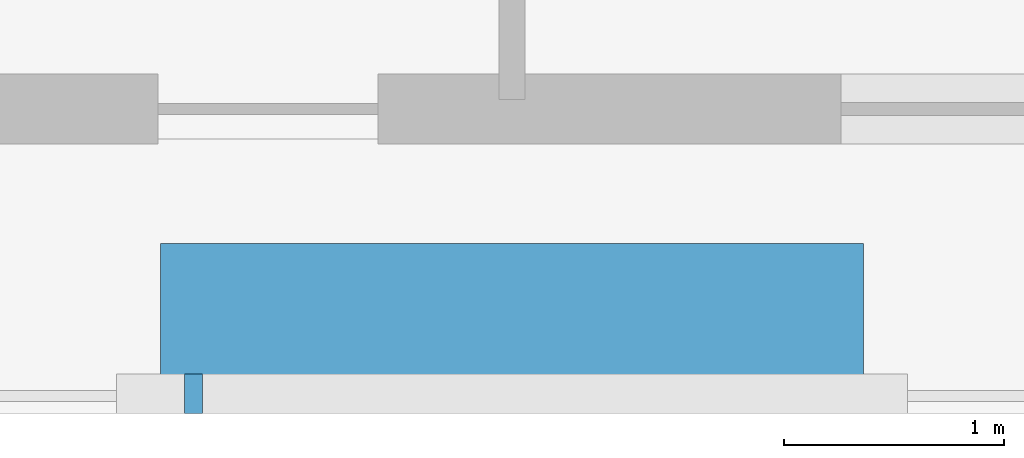
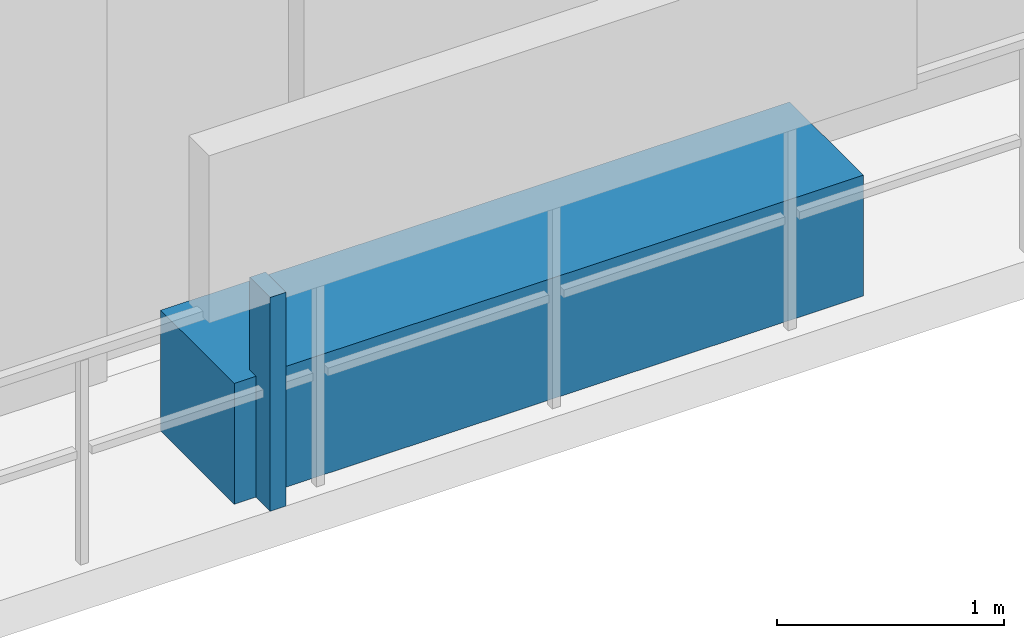
# One storey, part 29 of 33: 2 discrete accessories.
"""IFC4 building model written with IfcOpenShell, lengths in metres."""

import ifcopenshell
import ifcopenshell.guid

model = None  # the IFC model being written
_history = None  # IfcOwnerHistory: only IFC2X3 demands one
_inside = {}  # id of a spatial element -> (the spatial element, [elements in it])
_under = {}  # id of a project, library or spatial element -> (it, [spatial elements below it])
_declared = {}  # id of a project -> (the project, [libraries it declares])
_typed = {}  # id of a type object -> (the type object, [elements of that type])
_made_of = {}  # id of a material, layer set ... -> (it, [elements and type objects made of it])


def new_model(schema):
    """Start an empty IFC model of exactly this schema.

    Asked for "IFC4X3", IfcOpenShell would pick the latest addendum, in which some entities
    have other attributes; the version numbers below select the first issue.
    IFC2X3 requires an IfcOwnerHistory on every rooted entity: one is made here for all.
    """
    global model, _history
    if schema == "IFC4X3":
        model = ifcopenshell.file(schema_version=(4, 3, 0, 0))
    else:
        model = ifcopenshell.file(schema=schema)
    _inside.clear()
    _under.clear()
    _declared.clear()
    _typed.clear()
    _made_of.clear()
    _history = None
    if model.schema == "IFC2X3":
        org = make("IfcOrganization", Name="unknown")
        user = make(
            "IfcPersonAndOrganization",
            ThePerson=make("IfcPerson", FamilyName="unknown"),
            TheOrganization=org,
        )
        app = make(
            "IfcApplication",
            ApplicationDeveloper=org,
            Version="unknown",
            ApplicationFullName="unknown",
            ApplicationIdentifier="unknown",
        )
        _history = make(
            "IfcOwnerHistory",
            OwningUser=user,
            OwningApplication=app,
            ChangeAction="ADDED",
            CreationDate=0,
        )
    return model


def make(cls, **values):
    """One entity of the class cls with the attributes given. An attribute that is None is left unset."""
    return model.create_entity(
        cls, **{name: value for name, value in values.items() if value is not None}
    )


def rooted(cls, **values):
    """An entity with a GlobalId (a new one), such as an element, a storey or a relation."""
    return make(cls, GlobalId=ifcopenshell.guid.new(), OwnerHistory=_history, **values)


def si_unit(unit_type, name, prefix=None):
    """IfcSIUnit, for example si_unit("LENGTHUNIT", "METRE", prefix="MILLI")."""
    return make("IfcSIUnit", UnitType=unit_type, Prefix=prefix, Name=name)


def assignment(units):
    """IfcUnitAssignment: the units of a project."""
    return None if units is None else make("IfcUnitAssignment", Units=units)


def point(xyz):
    """IfcCartesianPoint."""
    return None if xyz is None else make("IfcCartesianPoint", Coordinates=xyz)


def direction(xyz):
    """IfcDirection."""
    return None if xyz is None else make("IfcDirection", DirectionRatios=xyz)


def frame(location, z_axis=None, x_axis=None):
    """IfcAxis2Placement3D, a coordinate frame: its origin and axes. An axis left out is left unset."""
    return make(
        "IfcAxis2Placement3D",
        Location=point(location),
        Axis=direction(z_axis),
        RefDirection=direction(x_axis),
    )


def frame_2d(location, x_axis=None):
    """IfcAxis2Placement2D, a coordinate frame in the plane: its origin and x axis."""
    return make(
        "IfcAxis2Placement2D", Location=point(location), RefDirection=direction(x_axis)
    )


def origin():
    """The frame at (0, 0, 0) with its axes left unset."""
    return frame((0.0, 0.0, 0.0))


def origin_2d():
    """The frame at (0, 0) in the plane with its x axis left unset."""
    return frame_2d((0.0, 0.0))


def place(relative_to, where):
    """IfcLocalPlacement: puts the frame where relative to a parent placement (None: the world)."""
    return make(
        "IfcLocalPlacement", PlacementRelTo=relative_to, RelativePlacement=where
    )


def context(
    kind, dimensions, precision=None, world=None, true_north=None, identifier=None
):
    """IfcGeometricRepresentationContext, for example the 3D "Model" context."""
    return make(
        "IfcGeometricRepresentationContext",
        ContextIdentifier=identifier,
        ContextType=kind,
        CoordinateSpaceDimension=dimensions,
        Precision=precision,
        WorldCoordinateSystem=world,
        TrueNorth=true_north,
    )


def subcontext(parent, identifier, kind, view, scale=None):
    """IfcGeometricRepresentationSubContext, for example "Body" below "Model"."""
    return make(
        "IfcGeometricRepresentationSubContext",
        ContextIdentifier=identifier,
        ContextType=kind,
        ParentContext=parent,
        TargetScale=scale,
        TargetView=view,
    )


def project(units=None, contexts=None):
    """IfcProject with its units and contexts."""
    return rooted(
        "IfcProject",
        Name="project",
        RepresentationContexts=contexts,
        UnitsInContext=assignment(units),
    )


def spatial(cls, under=None, at=None, **own):
    """A site, building, storey or space (cls), placed at a placement, below another one or the project."""
    s = rooted(cls, ObjectPlacement=at, **own)
    if under is not None:
        _under.setdefault(under.id(), (under, []))[1].append(s)
    return s


def profile(cls, at=None, kind="AREA", **sizes):
    """A parametric profile (cls). Its sizes go by their IFC names, for example OverallWidth=200.0."""
    return make(cls, ProfileType=kind, Position=at, **sizes)


def rectangle(**sizes):
    """IfcRectangleProfileDef."""
    return profile("IfcRectangleProfileDef", **sizes)


def extrude(swept, where, along, depth):
    """IfcExtrudedAreaSolid: the profile swept, set in the frame where, extruded along a direction by depth."""
    return make(
        "IfcExtrudedAreaSolid",
        SweptArea=swept,
        Position=where,
        ExtrudedDirection=direction(along),
        Depth=depth,
    )


def shape(context_of_items, identifier, shape_type, items):
    """IfcShapeRepresentation: the items that make up one representation, for example the "Body"."""
    return make(
        "IfcShapeRepresentation",
        ContextOfItems=context_of_items,
        RepresentationIdentifier=identifier,
        RepresentationType=shape_type,
        Items=items,
    )


def material(Name=None, Category=None):
    """IfcMaterial."""
    return make("IfcMaterial", Name=Name, Category=Category)


def made_of(thing, what):
    """Note that an element or type object is made of a material, layer set ...; save() writes the relation."""
    if what is not None:
        _made_of.setdefault(what.id(), (what, []))[1].append(thing)
    return thing


def type_object(cls, material=None, **own):
    """A type object (cls), such as IfcWallType, which elements share."""
    return made_of(rooted(cls, **own), material)


def element(
    cls,
    number,
    at=None,
    inside=None,
    cuts=None,
    type_object=None,
    material=None,
    context=None,
    identifier="Body",
    shape_type=None,
    held_by="IfcProductDefinitionShape",
    body=None,
    shapes=None,
    **own,
):
    """One element of the class cls, such as IfcWall. Its Tag is "e" and its number.

    at: its placement. inside: the storey or other place that contains it. cuts: it is an
    opening in that element (IfcRelVoidsElement). A single representation is given by context,
    identifier, shape_type and body (its items); several are given by shapes. held_by: the class
    of the entity that holds the representations. save() writes the other relations.
    """
    e = rooted(cls, Tag="e%d" % number, ObjectPlacement=at, **own)
    if body is not None:
        shapes = [shape(context, identifier, shape_type, body)]
    if shapes is not None:
        e.Representation = make(held_by, Representations=shapes)
    if inside is not None:
        _inside.setdefault(inside.id(), (inside, []))[1].append(e)
    if cuts is not None:
        rooted(
            "IfcRelVoidsElement", RelatingBuildingElement=cuts, RelatedOpeningElement=e
        )
    if type_object is not None:
        _typed.setdefault(type_object.id(), (type_object, []))[1].append(e)
    return made_of(e, material)


def aggregate(whole, parts):
    """IfcRelAggregates: a whole, such as a stair, and the parts it consists of."""
    return rooted("IfcRelAggregates", RelatingObject=whole, RelatedObjects=parts)


def save(model, path):
    """Write the relations noted so far, then the file.

    IfcRelAggregates (storeys below a building ...), IfcRelContainedInSpatialStructure (elements
    in a storey), IfcRelDefinesByType, IfcRelAssociatesMaterial and IfcRelDeclares: one each for
    every whole, place, type object, material and project.
    """
    for whole, parts in _under.values():
        aggregate(whole, parts)
    for where, things in _inside.values():
        rooted(
            "IfcRelContainedInSpatialStructure",
            RelatedElements=things,
            RelatingStructure=where,
        )
    for kind, things in _typed.values():
        rooted("IfcRelDefinesByType", RelatedObjects=things, RelatingType=kind)
    for what, things in _made_of.values():
        rooted("IfcRelAssociatesMaterial", RelatedObjects=things, RelatingMaterial=what)
    for by, libraries in _declared.values():
        rooted("IfcRelDeclares", RelatingContext=by, RelatedDefinitions=libraries)
    model.write(path)


model = new_model("IFC4")

# Units and contexts
model_context = context("Model", 3, precision=1e-05, world=origin(), true_north=direction((0.0, 1.0)))
body_context = subcontext(model_context, "Body", "Model", "MODEL_VIEW")
ifc_project = project(units=[si_unit("LENGTHUNIT", "METRE"), si_unit("AREAUNIT", "SQUARE_METRE"), si_unit("VOLUMEUNIT", "CUBIC_METRE"), si_unit("PLANEANGLEUNIT", "RADIAN"), si_unit("MASSUNIT", "GRAM", prefix="KILO")], contexts=[model_context])

# Site, building, storey
site_placement = place(None, origin())
site = spatial("IfcSite", under=ifc_project, at=site_placement, CompositionType="ELEMENT")
building_placement = place(site_placement, origin())
building = spatial("IfcBuilding", under=site, at=building_placement, Name="Thornwick Lancets Civic Towers", CompositionType="ELEMENT")
storey_placement = place(building_placement, frame((0.0, 0.0, 105.300048828125)))
storey = spatial("IfcBuildingStorey", under=building, at=storey_placement, Name="L27", CompositionType="ELEMENT", Elevation=105.300048828125)

# Discrete accessories
ifc_material_1 = material(Name="Planted terracotta greenery planter", Category="masonry")
discrete_accessory_type_1 = type_object("IfcDiscreteAccessoryType", Name="ACC_PLANTER_BOX", PredefinedType="USERDEFINED", material=ifc_material_1)
discrete_accessory_1_placement = place(storey_placement, frame((88.5, 2.10009765625, 0.0), z_axis=(0.0, 0.0, 1.0), x_axis=(1.0, 0.0, 0.0)))
element("IfcDiscreteAccessory", 1, at=discrete_accessory_1_placement, inside=storey, type_object=discrete_accessory_type_1, Name="L27 Tower B Balcony Greenery Planter S", ObjectType="PLANTER", PredefinedType="USERDEFINED", context=body_context, shape_type="SweptSolid", body=[
    extrude(rectangle(XDim=3.199951171875, YDim=0.64990234375, at=origin_2d()), origin(), (0.0, 0.0, 1.0), 0.64990234375),
])
ifc_material_2 = material(Name="Stainless steel S355", Category="steel")
discrete_accessory_type_2 = type_object("IfcDiscreteAccessoryType", Name="ACC_SCREEN_BRACKET", PredefinedType="BRACKET", material=ifc_material_2)
discrete_accessory_2_placement = place(storey_placement, frame((87.050048828125, 1.739990234375, 0.0), z_axis=(0.0, 0.0, 1.0), x_axis=(1.0, 0.0, 0.0)))
element("IfcDiscreteAccessory", 2, at=discrete_accessory_2_placement, inside=storey, type_object=discrete_accessory_type_2, Name="L27 Tower B Balcony Screen Stanchion Bracket S-1", PredefinedType="BRACKET", context=body_context, shape_type="SweptSolid", body=[
    extrude(rectangle(XDim=0.080078125, YDim=0.179931640625, at=origin_2d()), origin(), (0.0, 0.0, 1.0), 1.14990234375),
])

save(model, "model.ifc")
